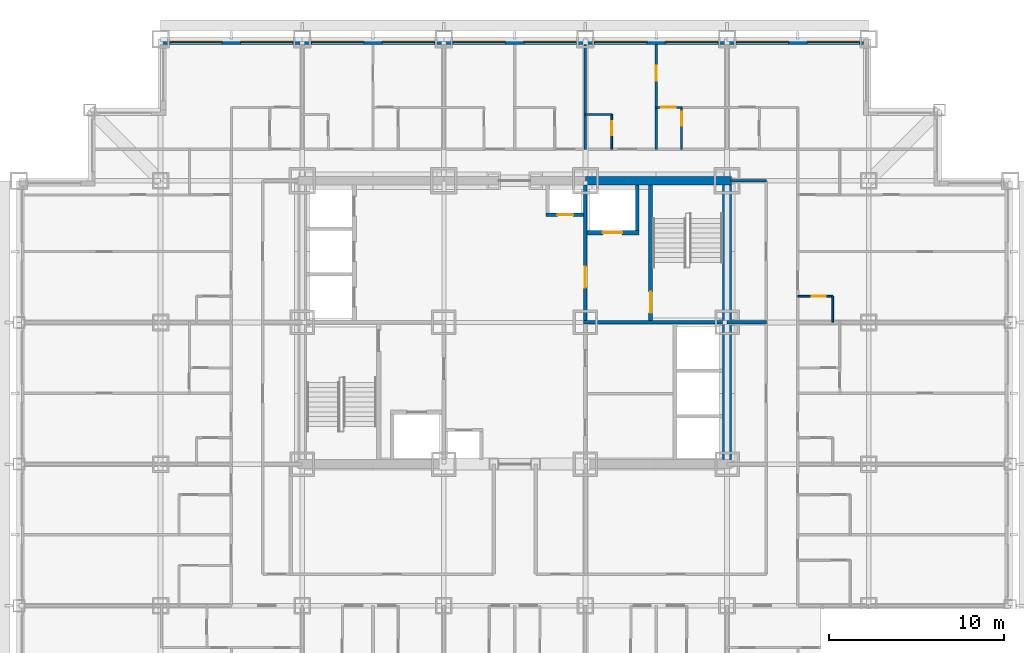
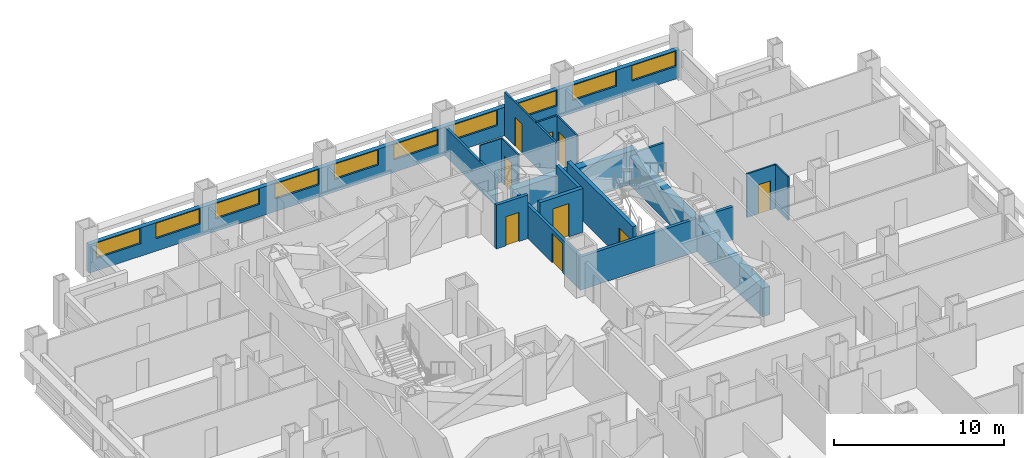
# One storey, part 10 of 12: 19 walls, 10 windows, 9 doors, 19 openings.
"""IFC4 building model written with IfcOpenShell, lengths in metres."""

from ifc_helpers import new_model, si_unit, direction, frame, frame_2d, origin, place, context, subcontext, project, spatial, rectangle, extrude, material, layer, layer_set, type_object, element, fill, save


model = new_model("IFC4")

# Units and contexts
model_context = context("Model", 3, precision=1e-05, world=origin(), true_north=direction((0.0, 1.0)))
body_context = subcontext(model_context, "Body", "Model", "MODEL_VIEW")
ifc_project = project(units=[si_unit("LENGTHUNIT", "METRE"), si_unit("AREAUNIT", "SQUARE_METRE"), si_unit("VOLUMEUNIT", "CUBIC_METRE"), si_unit("PLANEANGLEUNIT", "RADIAN"), si_unit("MASSUNIT", "GRAM", prefix="KILO")], contexts=[model_context])

# Site, building, storey
site_placement = place(None, origin())
site = spatial("IfcSite", under=ifc_project, at=site_placement, CompositionType="ELEMENT")
building_placement = place(site_placement, origin())
building = spatial("IfcBuilding", under=site, at=building_placement, Name="Kopane Lantern Tower", CompositionType="ELEMENT")
storey_placement = place(building_placement, frame((0.0, 0.0, 87.39990234375)))
storey = spatial("IfcBuildingStorey", under=building, at=storey_placement, Name="L22", CompositionType="ELEMENT", Elevation=87.39990234375)

# Wall, opening, door
ifc_material_1 = material(Name="Gypsum board on steel studs", Category="steel")
ifc_layer_1 = layer(ifc_material_1, 0.1201171875)
ifc_layer_set_1 = layer_set([ifc_layer_1], Name="APARTMENT INTERNAL WALL 120")
wall_type_1 = type_object("IfcWallType", Name="APARTMENT INTERNAL WALL 120", PredefinedType="PARTITIONING", material=ifc_layer_set_1)
wall_1_placement = place(storey_placement, frame((36.449951171875, 42.300048828125, 0.0), z_axis=(0.0, 0.0, 1.0), x_axis=(0.0, 1.0, 0.0)))
wall_1 = element("IfcWall", 1, at=wall_1_placement, inside=storey, type_object=wall_type_1, Name="Apartment Internal Wall 120 L22", PredefinedType="PARTITIONING", context=body_context, shape_type="SweptSolid", body=[
    extrude(rectangle(XDim=6.0, YDim=0.1201171875, at=frame_2d((3.0, 0.0))), origin(), (0.0, 0.0, 1.0), 3.150146484375),
])
opening_1_placement = place(wall_1_placement, frame((3.925048828125, 0.0, 0.0)))
opening_1 = element("IfcOpeningElement", 2, at=opening_1_placement, cuts=wall_1, Name="Opening L22-032", PredefinedType="OPENING", context=body_context, shape_type="SweptSolid", body=[
    extrude(rectangle(XDim=0.85009765625, YDim=2.10009765625, at=frame_2d((0.425048828125, 1.050048828125))), frame((0.0, 0.070068359375, 0.0), z_axis=(0.0, -1.0, 0.0), x_axis=(1.0, 0.0, 0.0)), (0.0, 0.0, 1.0), 0.14013671875),
])
ifc_material_2 = material(Name="Timber door set", Category="wood")
door_type_1 = type_object("IfcDoorType", Name="DOOR D4 850x2100", OperationType="SINGLE_SWING_LEFT", PredefinedType="DOOR", material=ifc_material_2)
door_1_placement = place(opening_1_placement, origin())
door_1 = element("IfcDoor", 3, at=door_1_placement, inside=storey, type_object=door_type_1, Name="Door L22-032", OperationType="SINGLE_SWING_RIGHT", OverallHeight=2.10009765625, OverallWidth=0.85009765625, PredefinedType="DOOR", context=body_context, shape_type="SweptSolid", body=[
    extrude(rectangle(XDim=0.85009765625, YDim=2.10009765625, at=frame_2d((0.425048828125, 1.050048828125))), frame((0.0, 0.02490234375, 0.0), z_axis=(0.0, -1.0, 0.0), x_axis=(1.0, 0.0, 0.0)), (0.0, 0.0, 1.0), 0.050048828125),
])
fill(opening_1, door_1)

wall_2_placement = place(storey_placement, frame((36.449951171875, 44.699951171875, 0.0), z_axis=(0.0, 0.0, 1.0), x_axis=(1.0, 0.0, 0.0)))
wall_2 = element("IfcWall", 4, at=wall_2_placement, inside=storey, type_object=wall_type_1, Name="Apartment Internal Wall 120 L22", PredefinedType="PARTITIONING", context=body_context, shape_type="SweptSolid", body=[
    extrude(rectangle(XDim=1.4599609375, YDim=0.1201171875, at=frame_2d((0.72998046875, 0.0))), origin(), (0.0, 0.0, 1.0), 3.150146484375),
])
opening_2_placement = place(wall_2_placement, frame((0.27490234375, 0.0, 0.0)))
opening_2 = element("IfcOpeningElement", 5, at=opening_2_placement, cuts=wall_2, Name="Opening L22-072", PredefinedType="OPENING", context=body_context, shape_type="SweptSolid", body=[
    extrude(rectangle(XDim=0.85009765625, YDim=2.10009765625, at=frame_2d((0.425048828125, 1.050048828125))), frame((0.0, 0.070068359375, 0.0), z_axis=(0.0, -1.0, 0.0), x_axis=(1.0, 0.0, 0.0)), (0.0, 0.0, 1.0), 0.14013671875),
])
door_2_placement = place(opening_2_placement, origin())
door_2 = element("IfcDoor", 6, at=door_2_placement, inside=storey, type_object=door_type_1, Name="Door L22-072", OperationType="SINGLE_SWING_LEFT", OverallHeight=2.10009765625, OverallWidth=0.85009765625, PredefinedType="DOOR", context=body_context, shape_type="SweptSolid", body=[
    extrude(rectangle(XDim=0.85009765625, YDim=2.10009765625, at=frame_2d((0.425048828125, 1.050048828125))), frame((0.0, 0.02490234375, 0.0), z_axis=(0.0, -1.0, 0.0), x_axis=(1.0, 0.0, 0.0)), (0.0, 0.0, 1.0), 0.050048828125),
])
fill(opening_2, door_2)

# Wall
ifc_material_3 = material(Name="Moisture-resistant board on steel studs", Category="steel")
ifc_layer_2 = layer(ifc_material_3, 0.10009765625)
ifc_layer_set_2 = layer_set([ifc_layer_2], Name="BATHROOM WALL 100")
wall_type_2 = type_object("IfcWallType", Name="BATHROOM WALL 100", PredefinedType="PARTITIONING", material=ifc_layer_set_2)
wall_3_placement = place(storey_placement, frame((32.39990234375, 44.300048828125, 0.0), z_axis=(0.0, 0.0, 1.0), x_axis=(1.0, 0.0, 0.0)))
element("IfcWall", 7, at=wall_3_placement, inside=storey, type_object=wall_type_2, Name="Bathroom Wall 100 L22", PredefinedType="PARTITIONING", context=body_context, shape_type="SweptSolid", body=[
    extrude(rectangle(XDim=1.5, YDim=0.10009765625, at=frame_2d((0.75, 0.0))), origin(), (0.0, 0.0, 1.0), 3.150146484375),
])

# Wall, opening, door
wall_4_placement = place(storey_placement, frame((33.89990234375, 42.300048828125, 0.0), z_axis=(0.0, 0.0, 1.0), x_axis=(0.0, 1.0, 0.0)))
wall_4 = element("IfcWall", 8, at=wall_4_placement, inside=storey, type_object=wall_type_2, Name="Bathroom Wall 100 L22", PredefinedType="PARTITIONING", context=body_context, shape_type="SweptSolid", body=[
    extrude(rectangle(XDim=2.0, YDim=0.10009765625, at=frame_2d((1.0, 0.0))), origin(), (0.0, 0.0, 1.0), 3.150146484375),
])
opening_3_placement = place(wall_4_placement, frame((0.800048828125, 0.0, 0.0)))
opening_3 = element("IfcOpeningElement", 9, at=opening_3_placement, cuts=wall_4, Name="Opening L22-029", PredefinedType="OPENING", context=body_context, shape_type="SweptSolid", body=[
    extrude(rectangle(XDim=0.800048828125, YDim=2.10009765625, at=frame_2d((0.39990234375, 1.050048828125))), frame((0.0, 0.06005859375, 0.0), z_axis=(0.0, -1.0, 0.0), x_axis=(1.0, 0.0, 0.0)), (0.0, 0.0, 1.0), 0.1201171875),
])
ifc_material_4 = material(Name="Timber door set", Category="wood")
door_type_2 = type_object("IfcDoorType", Name="DOOR D2 800x2100", OperationType="SINGLE_SWING_LEFT", PredefinedType="DOOR", material=ifc_material_4)
door_3_placement = place(opening_3_placement, origin())
door_3 = element("IfcDoor", 10, at=door_3_placement, inside=storey, type_object=door_type_2, Name="Door L22-029", OperationType="SINGLE_SWING_RIGHT", OverallHeight=2.10009765625, OverallWidth=0.800048828125, PredefinedType="DOOR", context=body_context, shape_type="SweptSolid", body=[
    extrude(rectangle(XDim=0.800048828125, YDim=2.10009765625, at=frame_2d((0.39990234375, 1.050048828125))), frame((0.0, 0.02490234375, 0.0), z_axis=(0.0, -1.0, 0.0), x_axis=(1.0, 0.0, 0.0)), (0.0, 0.0, 1.0), 0.050048828125),
])
fill(opening_3, door_3)

wall_5_placement = place(storey_placement, frame((37.89990234375, 42.300048828125, 0.0), z_axis=(0.0, 0.0, 1.0), x_axis=(0.0, 1.0, 0.0)))
wall_5 = element("IfcWall", 11, at=wall_5_placement, inside=storey, type_object=wall_type_2, Name="Bathroom Wall 100 L22", PredefinedType="PARTITIONING", context=body_context, shape_type="SweptSolid", body=[
    extrude(rectangle(XDim=2.39990234375, YDim=0.10009765625, at=frame_2d((1.199951171875, 0.0))), origin(), (0.0, 0.0, 1.0), 3.150146484375),
])
opening_4_placement = place(wall_5_placement, frame((1.35009765625, 0.0, 0.0)))
opening_4 = element("IfcOpeningElement", 12, at=opening_4_placement, cuts=wall_5, Name="Opening L22-031", PredefinedType="OPENING", context=body_context, shape_type="SweptSolid", body=[
    extrude(rectangle(XDim=0.800048828125, YDim=2.10009765625, at=frame_2d((0.39990234375, 1.050048828125))), frame((0.0, 0.06005859375, 0.0), z_axis=(0.0, -1.0, 0.0), x_axis=(1.0, 0.0, 0.0)), (0.0, 0.0, 1.0), 0.1201171875),
])
door_4_placement = place(opening_4_placement, origin())
door_4 = element("IfcDoor", 13, at=door_4_placement, inside=storey, type_object=door_type_2, Name="Door L22-031", OperationType="SINGLE_SWING_RIGHT", OverallHeight=2.10009765625, OverallWidth=0.800048828125, PredefinedType="DOOR", context=body_context, shape_type="SweptSolid", body=[
    extrude(rectangle(XDim=0.800048828125, YDim=2.10009765625, at=frame_2d((0.39990234375, 1.050048828125))), frame((0.0, 0.02490234375, 0.0), z_axis=(0.0, -1.0, 0.0), x_axis=(1.0, 0.0, 0.0)), (0.0, 0.0, 1.0), 0.050048828125),
])
fill(opening_4, door_4)

# Wall
wall_6_placement = place(storey_placement, frame((46.550048828125, 32.39990234375, 0.0), z_axis=(0.0, 0.0, 1.0), x_axis=(0.0, 1.0, 0.0)))
element("IfcWall", 14, at=wall_6_placement, inside=storey, type_object=wall_type_2, Name="Bathroom Wall 100 L22", PredefinedType="PARTITIONING", context=body_context, shape_type="SweptSolid", body=[
    extrude(rectangle(XDim=1.5, YDim=0.10009765625, at=frame_2d((0.75, 0.0))), origin(), (0.0, 0.0, 1.0), 3.150146484375),
])

# Wall, opening, door
wall_7_placement = place(storey_placement, frame((44.550048828125, 33.89990234375, 0.0), z_axis=(0.0, 0.0, 1.0), x_axis=(1.0, 0.0, 0.0)))
wall_7 = element("IfcWall", 15, at=wall_7_placement, inside=storey, type_object=wall_type_2, Name="Bathroom Wall 100 L22", PredefinedType="PARTITIONING", context=body_context, shape_type="SweptSolid", body=[
    extrude(rectangle(XDim=2.0, YDim=0.10009765625, at=frame_2d((1.0, 0.0))), origin(), (0.0, 0.0, 1.0), 3.150146484375),
])
opening_5_placement = place(wall_7_placement, frame((0.800048828125, 0.0, 0.0)))
opening_5 = element("IfcOpeningElement", 16, at=opening_5_placement, cuts=wall_7, Name="Opening L22-053", PredefinedType="OPENING", context=body_context, shape_type="SweptSolid", body=[
    extrude(rectangle(XDim=0.800048828125, YDim=2.10009765625, at=frame_2d((0.39990234375, 1.050048828125))), frame((0.0, 0.06005859375, 0.0), z_axis=(0.0, -1.0, 0.0), x_axis=(1.0, 0.0, 0.0)), (0.0, 0.0, 1.0), 0.1201171875),
])
door_5_placement = place(opening_5_placement, origin())
door_5 = element("IfcDoor", 17, at=door_5_placement, inside=storey, type_object=door_type_2, Name="Door L22-053", OperationType="SINGLE_SWING_LEFT", OverallHeight=2.10009765625, OverallWidth=0.800048828125, PredefinedType="DOOR", context=body_context, shape_type="SweptSolid", body=[
    extrude(rectangle(XDim=0.800048828125, YDim=2.10009765625, at=frame_2d((0.39990234375, 1.050048828125))), frame((0.0, 0.02490234375, 0.0), z_axis=(0.0, -1.0, 0.0), x_axis=(1.0, 0.0, 0.0)), (0.0, 0.0, 1.0), 0.050048828125),
])
fill(opening_5, door_5)

# Walls
ifc_material_5 = material(Name="Gypsum shaft wall EI 120", Category="gypsum")
ifc_layer_3 = layer(ifc_material_5, 0.5)
ifc_layer_set_3 = layer_set([ifc_layer_3], Name="CORE PERIMETER WALL 500 EI 120")
wall_type_3 = type_object("IfcWallType", Name="CORE PERIMETER WALL 500 EI 120", PredefinedType="SOLIDWALL", material=ifc_layer_set_3)
wall_8_placement = place(storey_placement, frame((32.39990234375, 40.5, 0.0), z_axis=(0.0, 0.0, 1.0), x_axis=(1.0, 0.0, 0.0)))
element("IfcWall", 18, at=wall_8_placement, inside=storey, type_object=wall_type_3, Name="Core shaft wall L22 PNE", PredefinedType="SOLIDWALL", context=body_context, shape_type="SweptSolid", body=[
    extrude(rectangle(XDim=8.35009765625, YDim=0.5, at=frame_2d((4.175048828125, 0.0))), origin(), (0.0, 0.0, 1.0), 2.387939453125),
])
wall_9_placement = place(storey_placement, frame((40.5, 24.550048828125, 0.0), z_axis=(0.0, 0.0, 1.0), x_axis=(0.0, 1.0, 0.0)))
element("IfcWall", 19, at=wall_9_placement, inside=storey, type_object=wall_type_3, Name="Core shaft wall L22 PE", PredefinedType="SOLIDWALL", context=body_context, shape_type="SweptSolid", body=[
    extrude(rectangle(XDim=15.699951171875, YDim=0.5, at=frame_2d((7.85009765625, 0.0))), origin(), (0.0, 0.0, 1.0), 2.050048828125),
])

# Wall, opening, door
ifc_material_6 = material(Name="Gypsum shaft wall EI 120", Category="gypsum")
ifc_layer_4 = layer(ifc_material_6, 0.25)
ifc_layer_set_4 = layer_set([ifc_layer_4], Name="CORE SHAFT WALL 250 EI 120")
wall_type_4 = type_object("IfcWallType", Name="CORE SHAFT WALL 250 EI 120", PredefinedType="SOLIDWALL", material=ifc_layer_set_4)
wall_10_placement = place(storey_placement, frame((36.125, 32.5, 0.0), z_axis=(0.0, 0.0, 1.0), x_axis=(0.0, 1.0, 0.0)))
wall_10 = element("IfcWall", 20, at=wall_10_placement, inside=storey, type_object=wall_type_4, Name="Core shaft wall L22 XST2", PredefinedType="SOLIDWALL", context=body_context, shape_type="SweptSolid", body=[
    extrude(rectangle(XDim=7.75, YDim=0.25, at=frame_2d((3.875, 0.0))), origin(), (0.0, 0.0, 1.0), 3.150146484375),
])
opening_6_placement = place(wall_10_placement, frame((0.449951171875, 0.0, 0.0)))
opening_6 = element("IfcOpeningElement", 21, at=opening_6_placement, cuts=wall_10, Name="Opening 22.SD2", PredefinedType="OPENING", context=body_context, shape_type="SweptSolid", body=[
    extrude(rectangle(XDim=1.199951171875, YDim=2.10009765625, at=frame_2d((0.60009765625, 1.050048828125))), frame((0.0, 0.135009765625, 0.0), z_axis=(0.0, -1.0, 0.0), x_axis=(1.0, 0.0, 0.0)), (0.0, 0.0, 1.0), 0.27001953125),
])
ifc_material_7 = material(Name="Steel door set", Category="steel")
door_type_3 = type_object("IfcDoorType", Name="STAIR DOOR 1200x2100 FD60S", OperationType="SINGLE_SWING_LEFT", PredefinedType="DOOR", material=ifc_material_7)
door_6_placement = place(opening_6_placement, origin())
door_6 = element("IfcDoor", 22, at=door_6_placement, inside=storey, type_object=door_type_3, Name="Stair door ST2 L22", OperationType="SINGLE_SWING_RIGHT", OverallHeight=2.10009765625, OverallWidth=1.199951171875, PredefinedType="DOOR", context=body_context, shape_type="SweptSolid", body=[
    extrude(rectangle(XDim=1.199951171875, YDim=2.10009765625, at=frame_2d((0.60009765625, 1.050048828125))), frame((0.0, 0.02490234375, 0.0), z_axis=(0.0, -1.0, 0.0), x_axis=(1.0, 0.0, 0.0)), (0.0, 0.0, 1.0), 0.050048828125),
])
fill(opening_6, door_6)

wall_11_placement = place(storey_placement, frame((32.5, 37.52490234375, 0.0), z_axis=(0.0, 0.0, 1.0), x_axis=(1.0, 0.0, 0.0)))
wall_11 = element("IfcWall", 23, at=wall_11_placement, inside=storey, type_object=wall_type_4, Name="Core shaft wall L22 YLF2", PredefinedType="SOLIDWALL", context=body_context, shape_type="SweptSolid", body=[
    extrude(rectangle(XDim=2.949951171875, YDim=0.25, at=frame_2d((1.47509765625, 0.0))), origin(), (0.0, 0.0, 1.0), 3.150146484375),
])
opening_7_placement = place(wall_11_placement, frame((0.89990234375, 0.0, 0.0)))
opening_7 = element("IfcOpeningElement", 24, at=opening_7_placement, cuts=wall_11, Name="Opening 22.LD-LF2", PredefinedType="OPENING", context=body_context, shape_type="SweptSolid", body=[
    extrude(rectangle(XDim=1.10009765625, YDim=2.39990234375, at=frame_2d((0.550048828125, 1.199951171875))), frame((0.0, 0.135009765625, 0.0), z_axis=(0.0, -1.0, 0.0), x_axis=(1.0, 0.0, 0.0)), (0.0, 0.0, 1.0), 0.27001953125),
])
ifc_material_8 = material(Name="Steel door set", Category="steel")
door_type_4 = type_object("IfcDoorType", Name="LIFT LANDING DOOR 1100x2400 FD60", OperationType="DOUBLE_DOOR_SLIDING", PredefinedType="DOOR", material=ifc_material_8)
door_7_placement = place(opening_7_placement, origin())
door_7 = element("IfcDoor", 25, at=door_7_placement, inside=storey, type_object=door_type_4, Name="Landing door LF2 L22", OperationType="DOUBLE_DOOR_SLIDING", OverallHeight=2.39990234375, OverallWidth=1.10009765625, PredefinedType="DOOR", context=body_context, shape_type="SweptSolid", body=[
    extrude(rectangle(XDim=1.10009765625, YDim=2.39990234375, at=frame_2d((0.550048828125, 1.199951171875))), frame((0.0, 0.02490234375, 0.0), z_axis=(0.0, -1.0, 0.0), x_axis=(1.0, 0.0, 0.0)), (0.0, 0.0, 1.0), 0.050048828125),
])
fill(opening_7, door_7)

# Walls
ifc_material_9 = material(Name="Gypsum board on steel studs", Category="steel")
ifc_layer_5 = layer(ifc_material_9, 0.14990234375)
ifc_layer_set_5 = layer_set([ifc_layer_5], Name="CORRIDOR WALL 150 EI 60")
wall_type_5 = type_object("IfcWallType", Name="CORRIDOR WALL 150 EI 60", PredefinedType="PARTITIONING", material=ifc_layer_set_5)
wall_12_placement = place(storey_placement, frame((42.75, 40.5, 0.0), z_axis=(0.0, 0.0, 1.0), x_axis=(-1.0, 0.0, 0.0)))
element("IfcWall", 26, at=wall_12_placement, inside=storey, type_object=wall_type_5, Name="Corridor Wall 150 Ei 60 L22", PredefinedType="PARTITIONING", context=body_context, shape_type="SweptSolid", body=[
    extrude(rectangle(XDim=2.050048828125, YDim=0.14990234375, at=frame_2d((1.02490234375, 0.0))), origin(), (0.0, 0.0, 1.0), 2.050048828125),
])
ifc_material_10 = material(Name="Gypsum board on steel studs", Category="steel")
ifc_layer_6 = layer(ifc_material_10, 0.14990234375)
ifc_layer_set_6 = layer_set([ifc_layer_6], Name="DEMISING WALL 150 EI 60")
wall_type_6 = type_object("IfcWallType", Name="DEMISING WALL 150 EI 60", PredefinedType="PARTITIONING", material=ifc_layer_set_6)
wall_13_placement = place(storey_placement, frame((32.39990234375, 42.300048828125, 0.0), z_axis=(0.0, 0.0, 1.0), x_axis=(0.0, 1.0, 0.0)))
element("IfcWall", 27, at=wall_13_placement, inside=storey, type_object=wall_type_6, Name="Demising Wall 150 Ei 60 L22", PredefinedType="PARTITIONING", context=body_context, shape_type="SweptSolid", body=[
    extrude(rectangle(XDim=6.0, YDim=0.14990234375, at=frame_2d((3.0, 0.0))), origin(), (0.0, 0.0, 1.0), 2.050048828125),
])

# Wall, openings, windows
ifc_material_11 = material(Name="Terracotta rainscreen on light steel framing", Category="masonry")
ifc_layer_7 = layer(ifc_material_11, 0.300048828125)
ifc_layer_set_7 = layer_set([ifc_layer_7], Name="EXTERNAL WALL EW1 300 TERRACOTTA")
wall_type_7 = type_object("IfcWallType", Name="EXTERNAL WALL EW1 300 TERRACOTTA", PredefinedType="SOLIDWALL", material=ifc_layer_set_7)
wall_14_placement = place(storey_placement, frame((48.300048828125, 48.449951171875, 0.0), z_axis=(0.0, 0.0, 1.0), x_axis=(-1.0, 0.0, 0.0)))
wall_14 = element("IfcWall", 28, at=wall_14_placement, inside=storey, type_object=wall_type_7, Name="External wall N L22", PredefinedType="SOLIDWALL", context=body_context, shape_type="SweptSolid", body=[
    extrude(rectangle(XDim=40.199951171875, YDim=0.300048828125, at=frame_2d((20.10009765625, 0.0))), origin(), (0.0, 0.0, 1.0), 2.050048828125),
])
opening_8_placement = place(wall_14_placement, frame((0.22509765625, 0.0, 0.89990234375)))
opening_8 = element("IfcOpeningElement", 29, at=opening_8_placement, cuts=wall_14, Name="Opening WR300110", PredefinedType="OPENING", context=body_context, shape_type="SweptSolid", body=[
    extrude(rectangle(XDim=3.0, YDim=1.10009765625, at=frame_2d((1.5, 0.550048828125))), frame((0.0, 0.159912109375, 0.0), z_axis=(0.0, -1.0, 0.0), x_axis=(1.0, 0.0, 0.0)), (0.0, 0.0, 1.0), 0.320068359375),
])
opening_9_placement = place(wall_14_placement, frame((4.27490234375, 0.0, 0.89990234375)))
opening_9 = element("IfcOpeningElement", 30, at=opening_9_placement, cuts=wall_14, Name="Opening WR300110", PredefinedType="OPENING", context=body_context, shape_type="SweptSolid", body=[
    extrude(rectangle(XDim=3.0, YDim=1.10009765625, at=frame_2d((1.5, 0.550048828125))), frame((0.0, 0.159912109375, 0.0), z_axis=(0.0, -1.0, 0.0), x_axis=(1.0, 0.0, 0.0)), (0.0, 0.0, 1.0), 0.320068359375),
])
opening_10_placement = place(wall_14_placement, frame((8.324951171875, 0.0, 0.89990234375)))
opening_10 = element("IfcOpeningElement", 31, at=opening_10_placement, cuts=wall_14, Name="Opening WR300110", PredefinedType="OPENING", context=body_context, shape_type="SweptSolid", body=[
    extrude(rectangle(XDim=3.0, YDim=1.10009765625, at=frame_2d((1.5, 0.550048828125))), frame((0.0, 0.159912109375, 0.0), z_axis=(0.0, -1.0, 0.0), x_axis=(1.0, 0.0, 0.0)), (0.0, 0.0, 1.0), 0.320068359375),
])
opening_11_placement = place(wall_14_placement, frame((12.375, 0.0, 0.89990234375)))
opening_11 = element("IfcOpeningElement", 32, at=opening_11_placement, cuts=wall_14, Name="Opening WR300110", PredefinedType="OPENING", context=body_context, shape_type="SweptSolid", body=[
    extrude(rectangle(XDim=3.0, YDim=1.10009765625, at=frame_2d((1.5, 0.550048828125))), frame((0.0, 0.159912109375, 0.0), z_axis=(0.0, -1.0, 0.0), x_axis=(1.0, 0.0, 0.0)), (0.0, 0.0, 1.0), 0.320068359375),
])
opening_12_placement = place(wall_14_placement, frame((16.425048828125, 0.0, 0.89990234375)))
opening_12 = element("IfcOpeningElement", 33, at=opening_12_placement, cuts=wall_14, Name="Opening WR300110", PredefinedType="OPENING", context=body_context, shape_type="SweptSolid", body=[
    extrude(rectangle(XDim=3.0, YDim=1.10009765625, at=frame_2d((1.5, 0.550048828125))), frame((0.0, 0.159912109375, 0.0), z_axis=(0.0, -1.0, 0.0), x_axis=(1.0, 0.0, 0.0)), (0.0, 0.0, 1.0), 0.320068359375),
])
opening_13_placement = place(wall_14_placement, frame((20.47509765625, 0.0, 0.89990234375)))
opening_13 = element("IfcOpeningElement", 34, at=opening_13_placement, cuts=wall_14, Name="Opening WR300110", PredefinedType="OPENING", context=body_context, shape_type="SweptSolid", body=[
    extrude(rectangle(XDim=3.0, YDim=1.10009765625, at=frame_2d((1.5, 0.550048828125))), frame((0.0, 0.159912109375, 0.0), z_axis=(0.0, -1.0, 0.0), x_axis=(1.0, 0.0, 0.0)), (0.0, 0.0, 1.0), 0.320068359375),
])
opening_14_placement = place(wall_14_placement, frame((24.52490234375, 0.0, 0.89990234375)))
opening_14 = element("IfcOpeningElement", 35, at=opening_14_placement, cuts=wall_14, Name="Opening WR300110", PredefinedType="OPENING", context=body_context, shape_type="SweptSolid", body=[
    extrude(rectangle(XDim=3.0, YDim=1.10009765625, at=frame_2d((1.5, 0.550048828125))), frame((0.0, 0.159912109375, 0.0), z_axis=(0.0, -1.0, 0.0), x_axis=(1.0, 0.0, 0.0)), (0.0, 0.0, 1.0), 0.320068359375),
])
opening_15_placement = place(wall_14_placement, frame((28.574951171875, 0.0, 0.89990234375)))
opening_15 = element("IfcOpeningElement", 36, at=opening_15_placement, cuts=wall_14, Name="Opening WR300110", PredefinedType="OPENING", context=body_context, shape_type="SweptSolid", body=[
    extrude(rectangle(XDim=3.0, YDim=1.10009765625, at=frame_2d((1.5, 0.550048828125))), frame((0.0, 0.159912109375, 0.0), z_axis=(0.0, -1.0, 0.0), x_axis=(1.0, 0.0, 0.0)), (0.0, 0.0, 1.0), 0.320068359375),
])
opening_16_placement = place(wall_14_placement, frame((32.625, 0.0, 0.89990234375)))
opening_16 = element("IfcOpeningElement", 37, at=opening_16_placement, cuts=wall_14, Name="Opening WR300110", PredefinedType="OPENING", context=body_context, shape_type="SweptSolid", body=[
    extrude(rectangle(XDim=3.0, YDim=1.10009765625, at=frame_2d((1.5, 0.550048828125))), frame((0.0, 0.159912109375, 0.0), z_axis=(0.0, -1.0, 0.0), x_axis=(1.0, 0.0, 0.0)), (0.0, 0.0, 1.0), 0.320068359375),
])
opening_17_placement = place(wall_14_placement, frame((36.675048828125, 0.0, 0.89990234375)))
opening_17 = element("IfcOpeningElement", 38, at=opening_17_placement, cuts=wall_14, Name="Opening WR300110", PredefinedType="OPENING", context=body_context, shape_type="SweptSolid", body=[
    extrude(rectangle(XDim=3.0, YDim=1.10009765625, at=frame_2d((1.5, 0.550048828125))), frame((0.0, 0.159912109375, 0.0), z_axis=(0.0, -1.0, 0.0), x_axis=(1.0, 0.0, 0.0)), (0.0, 0.0, 1.0), 0.320068359375),
])
ifc_material_12 = material(Name="Aluminium and clear glass", Category="aluminium")
window_type = type_object("IfcWindowType", Name="RIBBON WINDOW WR300110 3000x1100", PartitioningType="SINGLE_PANEL", PredefinedType="WINDOW", material=ifc_material_12)
window_1_placement = place(opening_8_placement, origin())
window_1 = element("IfcWindow", 39, at=window_1_placement, inside=storey, type_object=window_type, Name="Window N L22", OverallHeight=1.10009765625, OverallWidth=3.0, PartitioningType="SINGLE_PANEL", PredefinedType="WINDOW", context=body_context, shape_type="SweptSolid", body=[
    extrude(rectangle(XDim=3.0, YDim=1.10009765625, at=frame_2d((1.5, 0.550048828125))), frame((0.0, 0.030029296875, 0.0), z_axis=(0.0, -1.0, 0.0), x_axis=(1.0, 0.0, 0.0)), (0.0, 0.0, 1.0), 0.06005859375),
])
fill(opening_8, window_1)
window_2_placement = place(opening_9_placement, origin())
window_2 = element("IfcWindow", 40, at=window_2_placement, inside=storey, type_object=window_type, Name="Window N L22", OverallHeight=1.10009765625, OverallWidth=3.0, PartitioningType="SINGLE_PANEL", PredefinedType="WINDOW", context=body_context, shape_type="SweptSolid", body=[
    extrude(rectangle(XDim=3.0, YDim=1.10009765625, at=frame_2d((1.5, 0.550048828125))), frame((0.0, 0.030029296875, 0.0), z_axis=(0.0, -1.0, 0.0), x_axis=(1.0, 0.0, 0.0)), (0.0, 0.0, 1.0), 0.06005859375),
])
fill(opening_9, window_2)
window_3_placement = place(opening_10_placement, origin())
window_3 = element("IfcWindow", 41, at=window_3_placement, inside=storey, type_object=window_type, Name="Window N L22", OverallHeight=1.10009765625, OverallWidth=3.0, PartitioningType="SINGLE_PANEL", PredefinedType="WINDOW", context=body_context, shape_type="SweptSolid", body=[
    extrude(rectangle(XDim=3.0, YDim=1.10009765625, at=frame_2d((1.5, 0.550048828125))), frame((0.0, 0.030029296875, 0.0), z_axis=(0.0, -1.0, 0.0), x_axis=(1.0, 0.0, 0.0)), (0.0, 0.0, 1.0), 0.06005859375),
])
fill(opening_10, window_3)
window_4_placement = place(opening_11_placement, origin())
window_4 = element("IfcWindow", 42, at=window_4_placement, inside=storey, type_object=window_type, Name="Window N L22", OverallHeight=1.10009765625, OverallWidth=3.0, PartitioningType="SINGLE_PANEL", PredefinedType="WINDOW", context=body_context, shape_type="SweptSolid", body=[
    extrude(rectangle(XDim=3.0, YDim=1.10009765625, at=frame_2d((1.5, 0.550048828125))), frame((0.0, 0.030029296875, 0.0), z_axis=(0.0, -1.0, 0.0), x_axis=(1.0, 0.0, 0.0)), (0.0, 0.0, 1.0), 0.06005859375),
])
fill(opening_11, window_4)
window_5_placement = place(opening_12_placement, origin())
window_5 = element("IfcWindow", 43, at=window_5_placement, inside=storey, type_object=window_type, Name="Window N L22", OverallHeight=1.10009765625, OverallWidth=3.0, PartitioningType="SINGLE_PANEL", PredefinedType="WINDOW", context=body_context, shape_type="SweptSolid", body=[
    extrude(rectangle(XDim=3.0, YDim=1.10009765625, at=frame_2d((1.5, 0.550048828125))), frame((0.0, 0.030029296875, 0.0), z_axis=(0.0, -1.0, 0.0), x_axis=(1.0, 0.0, 0.0)), (0.0, 0.0, 1.0), 0.06005859375),
])
fill(opening_12, window_5)
window_6_placement = place(opening_13_placement, origin())
window_6 = element("IfcWindow", 44, at=window_6_placement, inside=storey, type_object=window_type, Name="Window N L22", OverallHeight=1.10009765625, OverallWidth=3.0, PartitioningType="SINGLE_PANEL", PredefinedType="WINDOW", context=body_context, shape_type="SweptSolid", body=[
    extrude(rectangle(XDim=3.0, YDim=1.10009765625, at=frame_2d((1.5, 0.550048828125))), frame((0.0, 0.030029296875, 0.0), z_axis=(0.0, -1.0, 0.0), x_axis=(1.0, 0.0, 0.0)), (0.0, 0.0, 1.0), 0.06005859375),
])
fill(opening_13, window_6)
window_7_placement = place(opening_14_placement, origin())
window_7 = element("IfcWindow", 45, at=window_7_placement, inside=storey, type_object=window_type, Name="Window N L22", OverallHeight=1.10009765625, OverallWidth=3.0, PartitioningType="SINGLE_PANEL", PredefinedType="WINDOW", context=body_context, shape_type="SweptSolid", body=[
    extrude(rectangle(XDim=3.0, YDim=1.10009765625, at=frame_2d((1.5, 0.550048828125))), frame((0.0, 0.030029296875, 0.0), z_axis=(0.0, -1.0, 0.0), x_axis=(1.0, 0.0, 0.0)), (0.0, 0.0, 1.0), 0.06005859375),
])
fill(opening_14, window_7)
window_8_placement = place(opening_15_placement, origin())
window_8 = element("IfcWindow", 46, at=window_8_placement, inside=storey, type_object=window_type, Name="Window N L22", OverallHeight=1.10009765625, OverallWidth=3.0, PartitioningType="SINGLE_PANEL", PredefinedType="WINDOW", context=body_context, shape_type="SweptSolid", body=[
    extrude(rectangle(XDim=3.0, YDim=1.10009765625, at=frame_2d((1.5, 0.550048828125))), frame((0.0, 0.030029296875, 0.0), z_axis=(0.0, -1.0, 0.0), x_axis=(1.0, 0.0, 0.0)), (0.0, 0.0, 1.0), 0.06005859375),
])
fill(opening_15, window_8)
window_9_placement = place(opening_16_placement, origin())
window_9 = element("IfcWindow", 47, at=window_9_placement, inside=storey, type_object=window_type, Name="Window N L22", OverallHeight=1.10009765625, OverallWidth=3.0, PartitioningType="SINGLE_PANEL", PredefinedType="WINDOW", context=body_context, shape_type="SweptSolid", body=[
    extrude(rectangle(XDim=3.0, YDim=1.10009765625, at=frame_2d((1.5, 0.550048828125))), frame((0.0, 0.030029296875, 0.0), z_axis=(0.0, -1.0, 0.0), x_axis=(1.0, 0.0, 0.0)), (0.0, 0.0, 1.0), 0.06005859375),
])
fill(opening_16, window_9)
window_10_placement = place(opening_17_placement, origin())
window_10 = element("IfcWindow", 48, at=window_10_placement, inside=storey, type_object=window_type, Name="Window N L22", OverallHeight=1.10009765625, OverallWidth=3.0, PartitioningType="SINGLE_PANEL", PredefinedType="WINDOW", context=body_context, shape_type="SweptSolid", body=[
    extrude(rectangle(XDim=3.0, YDim=1.10009765625, at=frame_2d((1.5, 0.550048828125))), frame((0.0, 0.030029296875, 0.0), z_axis=(0.0, -1.0, 0.0), x_axis=(1.0, 0.0, 0.0)), (0.0, 0.0, 1.0), 0.06005859375),
])
fill(opening_17, window_10)

# Walls
ifc_material_13 = material(Name="Concrete masonry", Category="masonry")
ifc_layer_8 = layer(ifc_material_13, 0.199951171875)
ifc_layer_set_8 = layer_set([ifc_layer_8], Name="PLANT ROOM WALL 200 EI 120")
wall_type_8 = type_object("IfcWallType", Name="PLANT ROOM WALL 200 EI 120", PredefinedType="SOLIDWALL", material=ifc_layer_set_8)
wall_15_placement = place(storey_placement, frame((40.5, 32.39990234375, 0.0), z_axis=(0.0, 0.0, 1.0), x_axis=(1.0, 0.0, 0.0)))
element("IfcWall", 49, at=wall_15_placement, inside=storey, type_object=wall_type_8, Name="Plant Room Wall 200 Ei 120 L22", PredefinedType="SOLIDWALL", context=body_context, shape_type="SweptSolid", body=[
    extrude(rectangle(XDim=2.25, YDim=0.199951171875, at=frame_2d((1.125, 0.0))), origin(), (0.0, 0.0, 1.0), 2.387939453125),
])
ifc_material_14 = material(Name="Gypsum shaft wall EI 120", Category="gypsum")
ifc_layer_9 = layer(ifc_material_14, 0.199951171875)
ifc_layer_set_9 = layer_set([ifc_layer_9], Name="SHAFT WALL 200 EI 120")
wall_type_9 = type_object("IfcWallType", Name="SHAFT WALL 200 EI 120", PredefinedType="SOLIDWALL", material=ifc_layer_set_9)
wall_16_placement = place(storey_placement, frame((32.300048828125, 32.39990234375, 0.0), z_axis=(0.0, 0.0, 1.0), x_axis=(1.0, 0.0, 0.0)))
element("IfcWall", 50, at=wall_16_placement, inside=storey, type_object=wall_type_9, Name="Core shaft wall L22 Y324E", PredefinedType="SOLIDWALL", context=body_context, shape_type="SweptSolid", body=[
    extrude(rectangle(XDim=7.949951171875, YDim=0.199951171875, at=frame_2d((3.97509765625, 0.0))), origin(), (0.0, 0.0, 1.0), 2.387939453125),
])

# Wall, opening, door
wall_17_placement = place(storey_placement, frame((32.39990234375, 32.5, 0.0), z_axis=(0.0, 0.0, 1.0), x_axis=(0.0, 1.0, 0.0)))
wall_17 = element("IfcWall", 51, at=wall_17_placement, inside=storey, type_object=wall_type_9, Name="Core shaft wall L22 X324", PredefinedType="SOLIDWALL", context=body_context, shape_type="SweptSolid", body=[
    extrude(rectangle(XDim=7.75, YDim=0.199951171875, at=frame_2d((3.875, 0.0))), origin(), (0.0, 0.0, 1.0), 2.387939453125),
])
opening_18_placement = place(wall_17_placement, frame((1.89990234375, 0.0, 0.0)))
opening_18 = element("IfcOpeningElement", 52, at=opening_18_placement, cuts=wall_17, Name="Opening 22.FL2", PredefinedType="OPENING", context=body_context, shape_type="SweptSolid", body=[
    extrude(rectangle(XDim=1.199951171875, YDim=2.10009765625, at=frame_2d((0.60009765625, 1.050048828125))), frame((0.0, 0.10986328125, 0.0), z_axis=(0.0, -1.0, 0.0), x_axis=(1.0, 0.0, 0.0)), (0.0, 0.0, 1.0), 0.219970703125),
])
ifc_material_15 = material(Name="Steel door set", Category="steel")
door_type_5 = type_object("IfcDoorType", Name="FIREFIGHTING LOBBY DOOR 1200x2100 FD60S", OperationType="SINGLE_SWING_RIGHT", PredefinedType="DOOR", material=ifc_material_15)
door_8_placement = place(opening_18_placement, origin())
door_8 = element("IfcDoor", 53, at=door_8_placement, inside=storey, type_object=door_type_5, Name="Firefighting lobby door FL2 L22", OperationType="SINGLE_SWING_LEFT", OverallHeight=2.10009765625, OverallWidth=1.199951171875, PredefinedType="DOOR", context=body_context, shape_type="SweptSolid", body=[
    extrude(rectangle(XDim=1.199951171875, YDim=2.10009765625, at=frame_2d((0.60009765625, 1.050048828125))), frame((0.0, 0.02490234375, 0.0), z_axis=(0.0, -1.0, 0.0), x_axis=(1.0, 0.0, 0.0)), (0.0, 0.0, 1.0), 0.050048828125),
])
fill(opening_18, door_8)

# Wall
wall_18_placement = place(storey_placement, frame((35.35009765625, 37.64990234375, 0.0), z_axis=(0.0, 0.0, 1.0), x_axis=(0.0, 1.0, 0.0)))
element("IfcWall", 54, at=wall_18_placement, inside=storey, type_object=wall_type_9, Name="Core shaft wall L22 XLF2", PredefinedType="SOLIDWALL", context=body_context, shape_type="SweptSolid", body=[
    extrude(rectangle(XDim=2.60009765625, YDim=0.199951171875, at=frame_2d((1.300048828125, 0.0))), origin(), (0.0, 0.0, 1.0), 3.150146484375),
])

# Wall, opening, door
wall_19_placement = place(storey_placement, frame((30.14990234375, 38.550048828125, 0.0), z_axis=(0.0, 0.0, 1.0), x_axis=(1.0, 0.0, 0.0)))
wall_19 = element("IfcWall", 55, at=wall_19_placement, inside=storey, type_object=wall_type_9, Name="Core shaft wall L22 YRS2", PredefinedType="SOLIDWALL", context=body_context, shape_type="SweptSolid", body=[
    extrude(rectangle(XDim=2.150146484375, YDim=0.199951171875, at=frame_2d((1.0751953125, 0.0))), origin(), (0.0, 0.0, 1.0), 3.150146484375),
])
opening_19_placement = place(wall_19_placement, frame((0.64990234375, 0.0, 0.0)))
opening_19 = element("IfcOpeningElement", 56, at=opening_19_placement, cuts=wall_19, Name="Opening 22.RS2", PredefinedType="OPENING", context=body_context, shape_type="SweptSolid", body=[
    extrude(rectangle(XDim=0.89990234375, YDim=2.10009765625, at=frame_2d((0.449951171875, 1.050048828125))), frame((0.0, 0.10986328125, 0.0), z_axis=(0.0, -1.0, 0.0), x_axis=(1.0, 0.0, 0.0)), (0.0, 0.0, 1.0), 0.219970703125),
])
ifc_material_16 = material(Name="Steel door set", Category="steel")
door_type_6 = type_object("IfcDoorType", Name="RISER ACCESS DOOR 900x2100 FD60", OperationType="SINGLE_SWING_LEFT", PredefinedType="DOOR", material=ifc_material_16)
door_9_placement = place(opening_19_placement, origin())
door_9 = element("IfcDoor", 57, at=door_9_placement, inside=storey, type_object=door_type_6, Name="Riser access door RS2 L22", OperationType="SINGLE_SWING_LEFT", OverallHeight=2.10009765625, OverallWidth=0.89990234375, PredefinedType="DOOR", context=body_context, shape_type="SweptSolid", body=[
    extrude(rectangle(XDim=0.89990234375, YDim=2.10009765625, at=frame_2d((0.449951171875, 1.050048828125))), frame((0.0, 0.02490234375, 0.0), z_axis=(0.0, -1.0, 0.0), x_axis=(1.0, 0.0, 0.0)), (0.0, 0.0, 1.0), 0.050048828125),
])
fill(opening_19, door_9)

save(model, "model.ifc")
